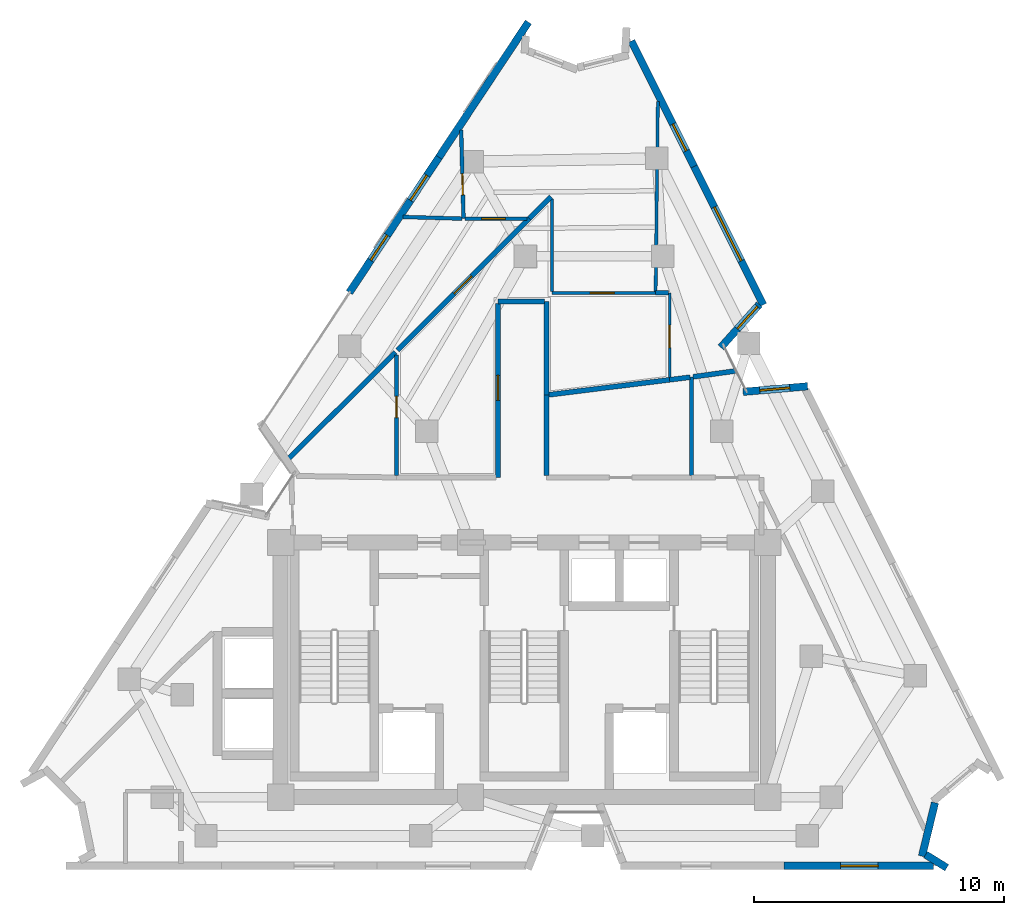
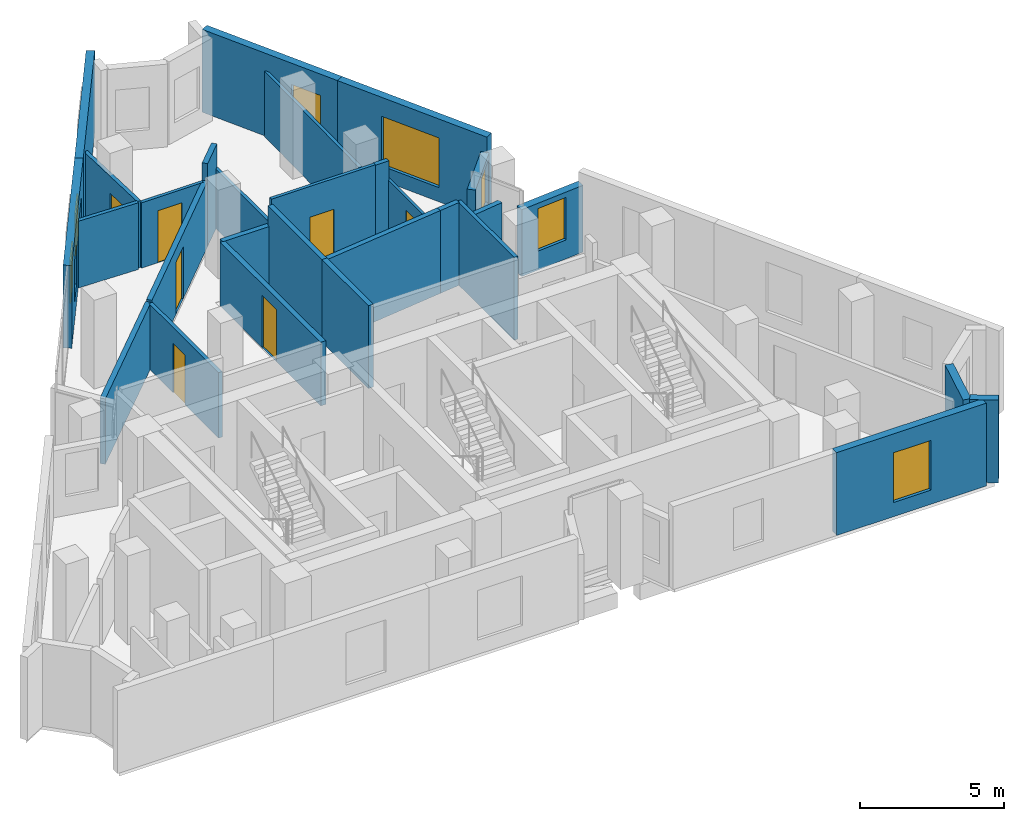
# One storey, part 6 of 8: 29 walls, 7 doors, 7 windows, 14 openings.
"""IFC4 building model written with IfcOpenShell, lengths in metres."""

import ifcopenshell
import ifcopenshell.guid

model = None  # the IFC model being written
_history = None  # IfcOwnerHistory: only IFC2X3 demands one
_inside = {}  # id of a spatial element -> (the spatial element, [elements in it])
_under = {}  # id of a project, library or spatial element -> (it, [spatial elements below it])
_declared = {}  # id of a project -> (the project, [libraries it declares])
_typed = {}  # id of a type object -> (the type object, [elements of that type])
_made_of = {}  # id of a material, layer set ... -> (it, [elements and type objects made of it])


def new_model(schema):
    """Start an empty IFC model of exactly this schema.

    Asked for "IFC4X3", IfcOpenShell would pick the latest addendum, in which some entities
    have other attributes; the version numbers below select the first issue.
    IFC2X3 requires an IfcOwnerHistory on every rooted entity: one is made here for all.
    """
    global model, _history
    if schema == "IFC4X3":
        model = ifcopenshell.file(schema_version=(4, 3, 0, 0))
    else:
        model = ifcopenshell.file(schema=schema)
    _inside.clear()
    _under.clear()
    _declared.clear()
    _typed.clear()
    _made_of.clear()
    _history = None
    if model.schema == "IFC2X3":
        org = make("IfcOrganization", Name="unknown")
        user = make(
            "IfcPersonAndOrganization",
            ThePerson=make("IfcPerson", FamilyName="unknown"),
            TheOrganization=org,
        )
        app = make(
            "IfcApplication",
            ApplicationDeveloper=org,
            Version="unknown",
            ApplicationFullName="unknown",
            ApplicationIdentifier="unknown",
        )
        _history = make(
            "IfcOwnerHistory",
            OwningUser=user,
            OwningApplication=app,
            ChangeAction="ADDED",
            CreationDate=0,
        )
    return model


def make(cls, **values):
    """One entity of the class cls with the attributes given. An attribute that is None is left unset."""
    return model.create_entity(
        cls, **{name: value for name, value in values.items() if value is not None}
    )


def rooted(cls, **values):
    """An entity with a GlobalId (a new one), such as an element, a storey or a relation."""
    return make(cls, GlobalId=ifcopenshell.guid.new(), OwnerHistory=_history, **values)


def si_unit(unit_type, name, prefix=None):
    """IfcSIUnit, for example si_unit("LENGTHUNIT", "METRE", prefix="MILLI")."""
    return make("IfcSIUnit", UnitType=unit_type, Prefix=prefix, Name=name)


def assignment(units):
    """IfcUnitAssignment: the units of a project."""
    return None if units is None else make("IfcUnitAssignment", Units=units)


def point(xyz):
    """IfcCartesianPoint."""
    return None if xyz is None else make("IfcCartesianPoint", Coordinates=xyz)


def direction(xyz):
    """IfcDirection."""
    return None if xyz is None else make("IfcDirection", DirectionRatios=xyz)


def frame(location, z_axis=None, x_axis=None):
    """IfcAxis2Placement3D, a coordinate frame: its origin and axes. An axis left out is left unset."""
    return make(
        "IfcAxis2Placement3D",
        Location=point(location),
        Axis=direction(z_axis),
        RefDirection=direction(x_axis),
    )


def frame_2d(location, x_axis=None):
    """IfcAxis2Placement2D, a coordinate frame in the plane: its origin and x axis."""
    return make(
        "IfcAxis2Placement2D", Location=point(location), RefDirection=direction(x_axis)
    )


def origin():
    """The frame at (0, 0, 0) with its axes left unset."""
    return frame((0.0, 0.0, 0.0))


def place(relative_to, where):
    """IfcLocalPlacement: puts the frame where relative to a parent placement (None: the world)."""
    return make(
        "IfcLocalPlacement", PlacementRelTo=relative_to, RelativePlacement=where
    )


def context(
    kind, dimensions, precision=None, world=None, true_north=None, identifier=None
):
    """IfcGeometricRepresentationContext, for example the 3D "Model" context."""
    return make(
        "IfcGeometricRepresentationContext",
        ContextIdentifier=identifier,
        ContextType=kind,
        CoordinateSpaceDimension=dimensions,
        Precision=precision,
        WorldCoordinateSystem=world,
        TrueNorth=true_north,
    )


def subcontext(parent, identifier, kind, view, scale=None):
    """IfcGeometricRepresentationSubContext, for example "Body" below "Model"."""
    return make(
        "IfcGeometricRepresentationSubContext",
        ContextIdentifier=identifier,
        ContextType=kind,
        ParentContext=parent,
        TargetScale=scale,
        TargetView=view,
    )


def project(units=None, contexts=None):
    """IfcProject with its units and contexts."""
    return rooted(
        "IfcProject",
        Name="project",
        RepresentationContexts=contexts,
        UnitsInContext=assignment(units),
    )


def spatial(cls, under=None, at=None, **own):
    """A site, building, storey or space (cls), placed at a placement, below another one or the project."""
    s = rooted(cls, ObjectPlacement=at, **own)
    if under is not None:
        _under.setdefault(under.id(), (under, []))[1].append(s)
    return s


def profile(cls, at=None, kind="AREA", **sizes):
    """A parametric profile (cls). Its sizes go by their IFC names, for example OverallWidth=200.0."""
    return make(cls, ProfileType=kind, Position=at, **sizes)


def rectangle(**sizes):
    """IfcRectangleProfileDef."""
    return profile("IfcRectangleProfileDef", **sizes)


def extrude(swept, where, along, depth):
    """IfcExtrudedAreaSolid: the profile swept, set in the frame where, extruded along a direction by depth."""
    return make(
        "IfcExtrudedAreaSolid",
        SweptArea=swept,
        Position=where,
        ExtrudedDirection=direction(along),
        Depth=depth,
    )


def shape(context_of_items, identifier, shape_type, items):
    """IfcShapeRepresentation: the items that make up one representation, for example the "Body"."""
    return make(
        "IfcShapeRepresentation",
        ContextOfItems=context_of_items,
        RepresentationIdentifier=identifier,
        RepresentationType=shape_type,
        Items=items,
    )


def material(Name=None, Category=None):
    """IfcMaterial."""
    return make("IfcMaterial", Name=Name, Category=Category)


def layer(
    of_material, thickness, ventilated=None, Name=None, Category=None, Priority=None
):
    """IfcMaterialLayer: one layer of a wall or slab, of a material (None: an air gap)."""
    return make(
        "IfcMaterialLayer",
        Material=of_material,
        LayerThickness=thickness,
        IsVentilated=ventilated,
        Name=Name,
        Category=Category,
        Priority=Priority,
    )


def layer_set(layers, Name=None):
    """IfcMaterialLayerSet."""
    return make("IfcMaterialLayerSet", MaterialLayers=layers, LayerSetName=Name)


def made_of(thing, what):
    """Note that an element or type object is made of a material, layer set ...; save() writes the relation."""
    if what is not None:
        _made_of.setdefault(what.id(), (what, []))[1].append(thing)
    return thing


def type_object(cls, material=None, **own):
    """A type object (cls), such as IfcWallType, which elements share."""
    return made_of(rooted(cls, **own), material)


def element(
    cls,
    number,
    at=None,
    inside=None,
    cuts=None,
    type_object=None,
    material=None,
    context=None,
    identifier="Body",
    shape_type=None,
    held_by="IfcProductDefinitionShape",
    body=None,
    shapes=None,
    **own,
):
    """One element of the class cls, such as IfcWall. Its Tag is "e" and its number.

    at: its placement. inside: the storey or other place that contains it. cuts: it is an
    opening in that element (IfcRelVoidsElement). A single representation is given by context,
    identifier, shape_type and body (its items); several are given by shapes. held_by: the class
    of the entity that holds the representations. save() writes the other relations.
    """
    e = rooted(cls, Tag="e%d" % number, ObjectPlacement=at, **own)
    if body is not None:
        shapes = [shape(context, identifier, shape_type, body)]
    if shapes is not None:
        e.Representation = make(held_by, Representations=shapes)
    if inside is not None:
        _inside.setdefault(inside.id(), (inside, []))[1].append(e)
    if cuts is not None:
        rooted(
            "IfcRelVoidsElement", RelatingBuildingElement=cuts, RelatedOpeningElement=e
        )
    if type_object is not None:
        _typed.setdefault(type_object.id(), (type_object, []))[1].append(e)
    return made_of(e, material)


def fill(opening, filler):
    """IfcRelFillsElement: the door or window that sits in an opening."""
    return rooted(
        "IfcRelFillsElement",
        RelatingOpeningElement=opening,
        RelatedBuildingElement=filler,
    )


def aggregate(whole, parts):
    """IfcRelAggregates: a whole, such as a stair, and the parts it consists of."""
    return rooted("IfcRelAggregates", RelatingObject=whole, RelatedObjects=parts)


def save(model, path):
    """Write the relations noted so far, then the file.

    IfcRelAggregates (storeys below a building ...), IfcRelContainedInSpatialStructure (elements
    in a storey), IfcRelDefinesByType, IfcRelAssociatesMaterial and IfcRelDeclares: one each for
    every whole, place, type object, material and project.
    """
    for whole, parts in _under.values():
        aggregate(whole, parts)
    for where, things in _inside.values():
        rooted(
            "IfcRelContainedInSpatialStructure",
            RelatedElements=things,
            RelatingStructure=where,
        )
    for kind, things in _typed.values():
        rooted("IfcRelDefinesByType", RelatedObjects=things, RelatingType=kind)
    for what, things in _made_of.values():
        rooted("IfcRelAssociatesMaterial", RelatedObjects=things, RelatingMaterial=what)
    for by, libraries in _declared.values():
        rooted("IfcRelDeclares", RelatingContext=by, RelatedDefinitions=libraries)
    model.write(path)


model = new_model("IFC4")

# Units and contexts
model_context = context("Model", 3, precision=1e-05, world=origin(), true_north=direction((0.0, 1.0)))
body_context = subcontext(model_context, "Body", "Model", "MODEL_VIEW")
ifc_project = project(units=[si_unit("LENGTHUNIT", "METRE"), si_unit("AREAUNIT", "SQUARE_METRE"), si_unit("VOLUMEUNIT", "CUBIC_METRE"), si_unit("PLANEANGLEUNIT", "RADIAN"), si_unit("MASSUNIT", "GRAM", prefix="KILO")], contexts=[model_context])

# Site, building, storey
site_placement = place(None, origin())
site = spatial("IfcSite", under=ifc_project, at=site_placement, CompositionType="ELEMENT")
building_placement = place(site_placement, origin())
building = spatial("IfcBuilding", under=site, at=building_placement, Name="Almagre Mirador Tower", CompositionType="ELEMENT")
storey_placement = place(building_placement, frame((0.0, 0.0, 263.25)))
storey = spatial("IfcBuildingStorey", under=building, at=storey_placement, Name="L68", CompositionType="ELEMENT", Elevation=263.25)

# Wall, openings, windows
ifc_material_1 = material(Name="Precast concrete C50/60", Category="concrete")
ifc_layer_1 = layer(ifc_material_1, 0.300048828125)
ifc_layer_set_1 = layer_set([ifc_layer_1], Name="Precast concrete C50/60")
wall_type_1 = type_object("IfcWallType", Name="WAL-EXT-300", PredefinedType="SOLIDWALL", material=ifc_layer_set_1)
wall_1_placement = place(storey_placement, frame((30.299560546875, 24.7548828125, 0.0), z_axis=(0.0, 0.0, 1.0), x_axis=(0.552146443909, 0.833747146609, 0.0)))
wall_1 = element("IfcWall", 1, at=wall_1_placement, inside=storey, type_object=wall_type_1, Name="L68 expressed almagre precast frame wall 03", PredefinedType="SOLIDWALL", context=body_context, shape_type="SweptSolid", body=[
    extrude(rectangle(XDim=6.49267578125, YDim=0.300048828125, at=frame_2d((3.246337890625, 0.0))), origin(), (0.0, 0.0, 1.0), 3.5),
])
opening_1_placement = place(wall_1_placement, frame((4.425048828125, 0.0, 0.800048828125)))
opening_1 = element("IfcOpeningElement", 2, at=opening_1_placement, cuts=wall_1, Name="Opening WN-04", PredefinedType="OPENING", context=body_context, shape_type="SweptSolid", body=[
    extrude(rectangle(XDim=1.199951171875, YDim=1.800048828125, at=frame_2d((0.60009765625, 0.89990234375))), frame((0.0, 0.159902, 0.0), z_axis=(0.0, -1.0, 0.0), x_axis=(1.0, 0.0, 0.0)), (0.0, 0.0, 1.0), 0.320049),
])
opening_2_placement = place(wall_1_placement, frame((1.550048828125, 0.0, 0.800048828125)))
opening_2 = element("IfcOpeningElement", 3, at=opening_2_placement, cuts=wall_1, Name="Opening WN-04", PredefinedType="OPENING", context=body_context, shape_type="SweptSolid", body=[
    extrude(rectangle(XDim=1.199951171875, YDim=1.800048828125, at=frame_2d((0.60009765625, 0.89990234375))), frame((0.0, 0.159902, 0.0), z_axis=(0.0, -1.0, 0.0), x_axis=(1.0, 0.0, 0.0)), (0.0, 0.0, 1.0), 0.320049),
])
ifc_material_2 = material(Name="Dark solar-control laminated hurricane glass", Category="glass")
window_type_1 = type_object("IfcWindowType", Name="WIN-1200X1800", PartitioningType="SINGLE_PANEL", PredefinedType="WINDOW", material=ifc_material_2)
window_1_placement = place(opening_1_placement, origin())
window_1 = element("IfcWindow", 4, at=window_1_placement, inside=storey, type_object=window_type_1, Name="L68 recessed hurricane window L68-UH-BT", OverallHeight=1.800048828125, OverallWidth=1.199951171875, PartitioningType="SINGLE_PANEL", PredefinedType="WINDOW", context=body_context, shape_type="SweptSolid", body=[
    extrude(rectangle(XDim=1.199951171875, YDim=1.800048828125, at=frame_2d((0.60009765625, 0.89990234375))), frame((0.0, 0.030029296875, 0.0), z_axis=(0.0, -1.0, 0.0), x_axis=(1.0, 0.0, 0.0)), (0.0, 0.0, 1.0), 0.06005859375),
])
fill(opening_1, window_1)
window_2_placement = place(opening_2_placement, origin())
window_2 = element("IfcWindow", 5, at=window_2_placement, inside=storey, type_object=window_type_1, Name="L68 recessed hurricane window L68-UH-KT", OverallHeight=1.800048828125, OverallWidth=1.199951171875, PartitioningType="SINGLE_PANEL", PredefinedType="WINDOW", context=body_context, shape_type="SweptSolid", body=[
    extrude(rectangle(XDim=1.199951171875, YDim=1.800048828125, at=frame_2d((0.60009765625, 0.89990234375))), frame((0.0, 0.030029296875, 0.0), z_axis=(0.0, -1.0, 0.0), x_axis=(1.0, 0.0, 0.0)), (0.0, 0.0, 1.0), 0.06005859375),
])
fill(opening_2, window_2)

# Wall
wall_2_placement = place(storey_placement, frame((33.884521484375, 30.168212890625, 0.0), z_axis=(0.0, 0.0, 1.0), x_axis=(0.552102995184, 0.833775918763, 0.0)))
element("IfcWall", 6, at=wall_2_placement, inside=storey, type_object=wall_type_1, Name="L68 expressed almagre precast frame wall 04", PredefinedType="SOLIDWALL", context=body_context, shape_type="SweptSolid", body=[
    extrude(rectangle(XDim=6.492919921875, YDim=0.300048828125, at=frame_2d((3.24658203125, 0.0))), origin(), (0.0, 0.0, 1.0), 3.5),
])

# Wall, opening, window
wall_3_placement = place(storey_placement, frame((41.59033203125, 34.819580078125, 0.0), z_axis=(0.0, 0.0, 1.0), x_axis=(0.4472135955, -0.894427191, 0.0)))
wall_3 = element("IfcWall", 7, at=wall_3_placement, inside=storey, type_object=wall_type_1, Name="L68 expressed almagre precast frame wall 09", PredefinedType="SOLIDWALL", context=body_context, shape_type="SweptSolid", body=[
    extrude(rectangle(XDim=5.607177734375, YDim=0.300048828125, at=frame_2d((2.8037109375, 0.0))), origin(), (0.0, 0.0, 1.0), 3.5),
])
opening_3_placement = place(wall_3_placement, frame((3.7099609375, 0.0, 0.800048828125)))
opening_3 = element("IfcOpeningElement", 8, at=opening_3_placement, cuts=wall_3, Name="Opening WN-04", PredefinedType="OPENING", context=body_context, shape_type="SweptSolid", body=[
    extrude(rectangle(XDim=1.199951171875, YDim=1.800048828125, at=frame_2d((0.60009765625, 0.89990234375))), frame((0.0, 0.159902, 0.0), z_axis=(0.0, -1.0, 0.0), x_axis=(1.0, 0.0, 0.0)), (0.0, 0.0, 1.0), 0.320049),
])
window_3_placement = place(opening_3_placement, origin())
window_3 = element("IfcWindow", 9, at=window_3_placement, inside=storey, type_object=window_type_1, Name="L68 recessed hurricane window L68-UG-MB", OverallHeight=1.800048828125, OverallWidth=1.199951171875, PartitioningType="SINGLE_PANEL", PredefinedType="WINDOW", context=body_context, shape_type="SweptSolid", body=[
    extrude(rectangle(XDim=1.199951171875, YDim=1.800048828125, at=frame_2d((0.60009765625, 0.89990234375))), frame((0.0, 0.030029296875, 0.0), z_axis=(0.0, -1.0, 0.0), x_axis=(1.0, 0.0, 0.0)), (0.0, 0.0, 1.0), 0.06005859375),
])
fill(opening_3, window_3)

wall_4_placement = place(storey_placement, frame((44.097900390625, 29.804443359375, 0.0), z_axis=(0.0, 0.0, 1.0), x_axis=(0.447260869873, -0.894403552252, 0.0)))
wall_4 = element("IfcWall", 10, at=wall_4_placement, inside=storey, type_object=wall_type_1, Name="L68 expressed almagre precast frame wall 10", PredefinedType="SOLIDWALL", context=body_context, shape_type="SweptSolid", body=[
    extrude(rectangle(XDim=6.197021484375, YDim=0.300048828125, at=frame_2d((3.0986328125, 0.0))), origin(), (0.0, 0.0, 1.0), 3.5),
])
opening_4_placement = place(wall_4_placement, frame((1.824951171875, 0.0, 0.60009765625)))
opening_4 = element("IfcOpeningElement", 11, at=opening_4_placement, cuts=wall_4, Name="Opening WN-02", PredefinedType="OPENING", context=body_context, shape_type="SweptSolid", body=[
    extrude(rectangle(XDim=2.39990234375, YDim=2.10009765625, at=frame_2d((1.199951171875, 1.050048828125))), frame((0.0, 0.159902, 0.0), z_axis=(0.0, -1.0, 0.0), x_axis=(1.0, 0.0, 0.0)), (0.0, 0.0, 1.0), 0.320049),
])
ifc_material_3 = material(Name="Dark solar-control laminated hurricane glass", Category="glass")
window_type_2 = type_object("IfcWindowType", Name="WIN-2400X2100", PartitioningType="TRIPLE_PANEL_VERTICAL", PredefinedType="WINDOW", material=ifc_material_3)
window_4_placement = place(opening_4_placement, origin())
window_4 = element("IfcWindow", 12, at=window_4_placement, inside=storey, type_object=window_type_2, Name="L68 recessed hurricane window L68-UG-MB", OverallHeight=2.10009765625, OverallWidth=2.39990234375, PartitioningType="SINGLE_PANEL", PredefinedType="WINDOW", context=body_context, shape_type="SweptSolid", body=[
    extrude(rectangle(XDim=2.39990234375, YDim=2.10009765625, at=frame_2d((1.199951171875, 1.050048828125))), frame((0.0, 0.030029296875, 0.0), z_axis=(0.0, -1.0, 0.0), x_axis=(1.0, 0.0, 0.0)), (0.0, 0.0, 1.0), 0.06005859375),
])
fill(opening_4, window_4)

wall_5_placement = place(storey_placement, frame((46.713623046875, 24.282470703125, 0.0), z_axis=(0.0, 0.0, 1.0), x_axis=(-0.665980118588, -0.745969491095, 0.0)))
wall_5 = element("IfcWall", 13, at=wall_5_placement, inside=storey, type_object=wall_type_1, Name="L68 expressed almagre precast frame wall 11", PredefinedType="SOLIDWALL", context=body_context, shape_type="SweptSolid", body=[
    extrude(rectangle(XDim=2.3134765625, YDim=0.300048828125, at=frame_2d((1.15673828125, 0.0))), origin(), (0.0, 0.0, 1.0), 2.824951171875),
])
opening_5_placement = place(wall_5_placement, frame((0.1201171875, 0.0, 0.800048828125)))
opening_5 = element("IfcOpeningElement", 14, at=opening_5_placement, cuts=wall_5, Name="Opening WN-04", PredefinedType="OPENING", context=body_context, shape_type="SweptSolid", body=[
    extrude(rectangle(XDim=1.199951171875, YDim=1.800048828125, at=frame_2d((0.60009765625, 0.89990234375))), frame((0.0, 0.159902, 0.0), z_axis=(0.0, -1.0, 0.0), x_axis=(1.0, 0.0, 0.0)), (0.0, 0.0, 1.0), 0.320049),
])
window_5_placement = place(opening_5_placement, origin())
window_5 = element("IfcWindow", 15, at=window_5_placement, inside=storey, type_object=window_type_1, Name="L68 recessed hurricane window L68-UG-MB", OverallHeight=1.800048828125, OverallWidth=1.199951171875, PartitioningType="SINGLE_PANEL", PredefinedType="WINDOW", context=body_context, shape_type="SweptSolid", body=[
    extrude(rectangle(XDim=1.199951171875, YDim=1.800048828125, at=frame_2d((0.60009765625, 0.89990234375))), frame((0.0, 0.030029296875, 0.0), z_axis=(0.0, -1.0, 0.0), x_axis=(1.0, 0.0, 0.0)), (0.0, 0.0, 1.0), 0.06005859375),
])
fill(opening_5, window_5)

wall_6_placement = place(storey_placement, frame((46.0615234375, 20.779052734375, 0.0), z_axis=(0.0, 0.0, 1.0), x_axis=(0.996364250233, 0.085195544828, 0.0)))
wall_6 = element("IfcWall", 16, at=wall_6_placement, inside=storey, type_object=wall_type_1, Name="L68 expressed almagre precast frame wall 12", PredefinedType="SOLIDWALL", context=body_context, shape_type="SweptSolid", body=[
    extrude(rectangle(XDim=2.593505859375, YDim=0.300048828125, at=frame_2d((1.296875, 0.0))), origin(), (0.0, 0.0, 1.0), 2.824951171875),
])
opening_6_placement = place(wall_6_placement, frame((0.675048828125, 0.0, 0.800048828125)))
opening_6 = element("IfcOpeningElement", 17, at=opening_6_placement, cuts=wall_6, Name="Opening WN-04", PredefinedType="OPENING", context=body_context, shape_type="SweptSolid", body=[
    extrude(rectangle(XDim=1.199951171875, YDim=1.800048828125, at=frame_2d((0.60009765625, 0.89990234375))), frame((0.0, 0.159902, 0.0), z_axis=(0.0, -1.0, 0.0), x_axis=(1.0, 0.0, 0.0)), (0.0, 0.0, 1.0), 0.320049),
])
window_6_placement = place(opening_6_placement, origin())
window_6 = element("IfcWindow", 18, at=window_6_placement, inside=storey, type_object=window_type_1, Name="L68 recessed hurricane window L68-RST-E", OverallHeight=1.800048828125, OverallWidth=1.199951171875, PartitioningType="SINGLE_PANEL", PredefinedType="WINDOW", context=body_context, shape_type="SweptSolid", body=[
    extrude(rectangle(XDim=1.199951171875, YDim=1.800048828125, at=frame_2d((0.60009765625, 0.89990234375))), frame((0.0, 0.030029296875, 0.0), z_axis=(0.0, -1.0, 0.0), x_axis=(1.0, 0.0, 0.0)), (0.0, 0.0, 1.0), 0.06005859375),
])
fill(opening_6, window_6)

# Walls
wall_7_placement = place(storey_placement, frame((53.744873046875, 4.330078125, 0.0), z_axis=(0.0, 0.0, 1.0), x_axis=(-0.235375358003, -0.971904543073, 0.0)))
element("IfcWall", 19, at=wall_7_placement, inside=storey, type_object=wall_type_1, Name="L68 expressed almagre precast frame wall 18", PredefinedType="SOLIDWALL", context=body_context, shape_type="SweptSolid", body=[
    extrude(rectangle(XDim=2.208251953125, YDim=0.300048828125, at=frame_2d((1.10400390625, 0.0))), origin(), (0.0, 0.0, 1.0), 3.5),
])
wall_8_placement = place(storey_placement, frame((53.36865234375, 2.251708984375, 0.0), z_axis=(0.0, 0.0, 1.0), x_axis=(0.85071769282, -0.52562287538, 0.0)))
element("IfcWall", 20, at=wall_8_placement, inside=storey, type_object=wall_type_1, Name="L68 expressed almagre precast frame wall 19", PredefinedType="SOLIDWALL", context=body_context, shape_type="SweptSolid", body=[
    extrude(rectangle(XDim=0.99951171875, YDim=0.300048828125, at=frame_2d((0.499755859375, 0.0))), origin(), (0.0, 0.0, 1.0), 3.5),
])

# Wall, opening, window
wall_9_placement = place(storey_placement, frame((53.679931640625, 1.800048828125, 0.0), z_axis=(0.0, 0.0, 1.0), x_axis=(-1.0, 0.0, 0.0)))
wall_9 = element("IfcWall", 21, at=wall_9_placement, inside=storey, type_object=wall_type_1, Name="L68 expressed almagre precast frame wall 20", PredefinedType="SOLIDWALL", context=body_context, shape_type="SweptSolid", body=[
    extrude(rectangle(XDim=5.97998046875, YDim=0.300048828125, at=frame_2d((2.989990234375, 0.0))), origin(), (0.0, 0.0, 1.0), 3.5),
])
opening_7_placement = place(wall_9_placement, frame((2.215087890625, 0.0, 0.60009765625)))
opening_7 = element("IfcOpeningElement", 22, at=opening_7_placement, cuts=wall_9, Name="Opening WN-03", PredefinedType="OPENING", context=body_context, shape_type="SweptSolid", body=[
    extrude(rectangle(XDim=1.5, YDim=2.10009765625, at=frame_2d((0.75, 1.050048828125))), frame((0.0, 0.159902, 0.0), z_axis=(0.0, -1.0, 0.0), x_axis=(1.0, 0.0, 0.0)), (0.0, 0.0, 1.0), 0.320049),
])
ifc_material_4 = material(Name="Dark solar-control laminated hurricane glass", Category="glass")
window_type_3 = type_object("IfcWindowType", Name="WIN-1500X2100", PartitioningType="DOUBLE_PANEL_VERTICAL", PredefinedType="WINDOW", material=ifc_material_4)
window_7_placement = place(opening_7_placement, origin())
window_7 = element("IfcWindow", 23, at=window_7_placement, inside=storey, type_object=window_type_3, Name="L68 recessed hurricane window L68-RST-C", OverallHeight=2.10009765625, OverallWidth=1.5, PartitioningType="SINGLE_PANEL", PredefinedType="WINDOW", context=body_context, shape_type="SweptSolid", body=[
    extrude(rectangle(XDim=1.5, YDim=2.10009765625, at=frame_2d((0.75, 1.050048828125))), frame((0.0, 0.030029296875, 0.0), z_axis=(0.0, -1.0, 0.0), x_axis=(1.0, 0.0, 0.0)), (0.0, 0.0, 1.0), 0.06005859375),
])
fill(opening_7, window_7)

# Wall, opening, door
ifc_material_5 = material(Name="Gypsum acoustic stud partition", Category="other")
ifc_layer_2 = layer(ifc_material_5, 0.10009765625)
ifc_layer_set_2 = layer_set([ifc_layer_2], Name="Gypsum acoustic stud partition")
wall_type_2 = type_object("IfcWallType", Name="WAL-PRT-100-CLS", PredefinedType="PARTITIONING", material=ifc_layer_set_2)
wall_10_placement = place(storey_placement, frame((43.1201171875, 21.344970703125, 0.0), z_axis=(0.0, 0.0, 1.0), x_axis=(0.0, 1.0, 0.0)))
wall_10 = element("IfcWall", 24, at=wall_10_placement, inside=storey, type_object=wall_type_2, Name="L68 interior partition 032", PredefinedType="PARTITIONING", context=body_context, shape_type="SweptSolid", body=[
    extrude(rectangle(XDim=3.39501953125, YDim=0.10009765625, at=frame_2d((1.697509765625, 0.0))), origin(), (0.0, 0.0, 1.0), 2.68505859375),
])
opening_8_placement = place(wall_10_placement, frame((1.205078125, 0.0, 0.0)))
opening_8 = element("IfcOpeningElement", 25, at=opening_8_placement, cuts=wall_10, Name="Opening UD-02", PredefinedType="OPENING", context=body_context, shape_type="SweptSolid", body=[
    extrude(rectangle(XDim=0.89990234375, YDim=2.14990234375, at=frame_2d((0.449951171875, 1.074951171875))), frame((0.0, 0.060049, 0.0), z_axis=(0.0, -1.0, 0.0), x_axis=(1.0, 0.0, 0.0)), (0.0, 0.0, 1.0), 0.120098),
])
ifc_material_6 = material(Name="Solid American walnut timber", Category="wood")
door_type_1 = type_object("IfcDoorType", Name="DOR-UNR-900X2150", OperationType="NOTDEFINED", PredefinedType="DOOR", material=ifc_material_6)
door_1_placement = place(opening_8_placement, origin())
door_1 = element("IfcDoor", 26, at=door_1_placement, inside=storey, type_object=door_type_1, Name="DR-2083 L68 interior door L68-UG-LV to L68-UG-MB", OperationType="SINGLE_SWING_RIGHT", OverallHeight=2.14990234375, OverallWidth=0.89990234375, PredefinedType="DOOR", context=body_context, shape_type="SweptSolid", body=[
    extrude(rectangle(XDim=0.89990234375, YDim=2.14990234375, at=frame_2d((0.449951171875, 1.074951171875))), frame((0.0, 0.02490234375, 0.0), z_axis=(0.0, -1.0, 0.0), x_axis=(1.0, 0.0, 0.0)), (0.0, 0.0, 1.0), 0.050048828125),
])
fill(opening_8, door_1)

ifc_material_7 = material(Name="Gypsum acoustic stud partition", Category="other")
ifc_layer_3 = layer(ifc_material_7, 0.125)
ifc_layer_set_3 = layer_set([ifc_layer_3], Name="Gypsum acoustic stud partition")
wall_type_3 = type_object("IfcWallType", Name="WAL-PRT-125-UTL", PredefinedType="PARTITIONING", material=ifc_layer_set_3)
wall_11_placement = place(storey_placement, frame((42.56005859375, 24.739990234375, 0.0), z_axis=(0.0, 0.0, 1.0), x_axis=(-1.0, 0.0, 0.0)))
wall_11 = element("IfcWall", 27, at=wall_11_placement, inside=storey, type_object=wall_type_3, Name="L68 interior partition 030", PredefinedType="PARTITIONING", context=body_context, shape_type="SweptSolid", body=[
    extrude(rectangle(XDim=4.150146484375, YDim=0.125, at=frame_2d((2.0751953125, 0.0))), origin(), (0.0, 0.0, 1.0), 3.5),
])
opening_9_placement = place(wall_11_placement, frame((1.658447265625, 0.0, 0.0)))
opening_9 = element("IfcOpeningElement", 28, at=opening_9_placement, cuts=wall_11, Name="Opening UD-01", PredefinedType="OPENING", context=body_context, shape_type="SweptSolid", body=[
    extrude(rectangle(XDim=0.949951171875, YDim=2.199951171875, at=frame_2d((0.47509765625, 1.10009765625))), frame((0.0, 0.0725, 0.0), z_axis=(0.0, -1.0, 0.0), x_axis=(1.0, 0.0, 0.0)), (0.0, 0.0, 1.0), 0.145),
])
ifc_material_8 = material(Name="Solid American walnut timber", Category="wood")
door_type_2 = type_object("IfcDoorType", Name="DOR-UNR-950X2200", OperationType="NOTDEFINED", PredefinedType="DOOR", material=ifc_material_8)
door_2_placement = place(opening_9_placement, origin())
door_2 = element("IfcDoor", 29, at=door_2_placement, inside=storey, type_object=door_type_2, Name="DR-2081 L68 interior door L68-UG-LV to L68-UG-KT", OperationType="SINGLE_SWING_RIGHT", OverallHeight=2.199951171875, OverallWidth=0.949951171875, PredefinedType="DOOR", context=body_context, shape_type="SweptSolid", body=[
    extrude(rectangle(XDim=0.949951171875, YDim=2.199951171875, at=frame_2d((0.47509765625, 1.10009765625))), frame((0.0, 0.02490234375, 0.0), z_axis=(0.0, -1.0, 0.0), x_axis=(1.0, 0.0, 0.0)), (0.0, 0.0, 1.0), 0.050048828125),
])
fill(opening_9, door_2)

# Walls
wall_12_placement = place(storey_placement, frame((38.409912109375, 24.78759765625, 0.0), z_axis=(0.0, 0.0, 1.0), x_axis=(0.0, 1.0, 0.0)))
element("IfcWall", 30, at=wall_12_placement, inside=storey, type_object=wall_type_3, Name="L68 interior partition 031", PredefinedType="PARTITIONING", context=body_context, shape_type="SweptSolid", body=[
    extrude(rectangle(XDim=3.702392578125, YDim=0.125, at=frame_2d((1.85107421875, 0.0))), origin(), (0.0, 0.0, 1.0), 2.52001953125),
])
wall_13_placement = place(storey_placement, frame((42.560546875, 24.78759765625, 0.0), z_axis=(0.0, 0.0, 1.0), x_axis=(0.011862322193, 0.999929640181, 0.0)))
element("IfcWall", 31, at=wall_13_placement, inside=storey, type_object=wall_type_3, Name="L68 interior partition 037", PredefinedType="PARTITIONING", context=body_context, shape_type="SweptSolid", body=[
    extrude(rectangle(XDim=7.614990234375, YDim=0.125, at=frame_2d((3.8076171875, 0.0))), origin(), (0.0, 0.0, 1.0), 2.763916015625),
])

# Wall, opening, door
wall_14_placement = place(storey_placement, frame((34.929931640625, 27.7099609375, 0.0), z_axis=(0.0, 0.0, 1.0), x_axis=(1.0, 0.0, 0.0)))
wall_14 = element("IfcWall", 32, at=wall_14_placement, inside=storey, type_object=wall_type_3, Name="L68 interior partition 039", PredefinedType="PARTITIONING", context=body_context, shape_type="SweptSolid", body=[
    extrude(rectangle(XDim=2.485107421875, YDim=0.125, at=frame_2d((1.24267578125, 0.0))), origin(), (0.0, 0.0, 1.0), 2.763916015625),
])
opening_10_placement = place(wall_14_placement, frame((0.663330078125, 0.0, 0.0)))
opening_10 = element("IfcOpeningElement", 33, at=opening_10_placement, cuts=wall_14, Name="Opening UD-01", PredefinedType="OPENING", context=body_context, shape_type="SweptSolid", body=[
    extrude(rectangle(XDim=0.949951171875, YDim=2.199951171875, at=frame_2d((0.47509765625, 1.10009765625))), frame((0.0, 0.0725, 0.0), z_axis=(0.0, -1.0, 0.0), x_axis=(1.0, 0.0, 0.0)), (0.0, 0.0, 1.0), 0.145),
])
door_3_placement = place(opening_10_placement, origin())
door_3 = element("IfcDoor", 34, at=door_3_placement, inside=storey, type_object=door_type_2, Name="DR-2084 L68 interior door L68-UH-ST to L68-UH-KT", OperationType="SINGLE_SWING_LEFT", OverallHeight=2.199951171875, OverallWidth=0.949951171875, PredefinedType="DOOR", context=body_context, shape_type="SweptSolid", body=[
    extrude(rectangle(XDim=0.949951171875, YDim=2.199951171875, at=frame_2d((0.47509765625, 1.10009765625))), frame((0.0, 0.02490234375, 0.0), z_axis=(0.0, -1.0, 0.0), x_axis=(1.0, 0.0, 0.0)), (0.0, 0.0, 1.0), 0.050048828125),
])
fill(opening_10, door_3)

# Wall
ifc_material_9 = material(Name="Gypsum acoustic stud partition", Category="other")
ifc_layer_4 = layer(ifc_material_9, 0.14990234375)
ifc_layer_set_4 = layer_set([ifc_layer_4], Name="Gypsum acoustic stud partition")
wall_type_4 = type_object("IfcWallType", Name="WAL-PRT-150-STD", PredefinedType="PARTITIONING", material=ifc_layer_set_4)
wall_15_placement = place(storey_placement, frame((44.0, 21.3701171875, 0.0), z_axis=(0.0, 0.0, 1.0), x_axis=(0.0, -1.0, 0.0)))
element("IfcWall", 35, at=wall_15_placement, inside=storey, type_object=wall_type_4, Name="L68 interior partition 025", PredefinedType="PARTITIONING", context=body_context, shape_type="SweptSolid", body=[
    extrude(rectangle(XDim=3.93505859375, YDim=0.14990234375, at=frame_2d((1.967529296875, 0.0))), origin(), (0.0, 0.0, 1.0), 3.5),
])

# Wall, opening, door
wall_16_placement = place(storey_placement, frame((32.18994140625, 22.260009765625, 0.0), z_axis=(0.0, 0.0, 1.0), x_axis=(0.0, -1.0, 0.0)))
wall_16 = element("IfcWall", 36, at=wall_16_placement, inside=storey, type_object=wall_type_4, Name="L68 interior partition 029", PredefinedType="PARTITIONING", context=body_context, shape_type="SweptSolid", body=[
    extrude(rectangle(XDim=4.824951171875, YDim=0.14990234375, at=frame_2d((2.41259765625, 0.0))), origin(), (0.0, 0.0, 1.0), 2.763916015625),
])
opening_11_placement = place(wall_16_placement, frame((1.6630859375, 0.0, 0.0)))
opening_11 = element("IfcOpeningElement", 37, at=opening_11_placement, cuts=wall_16, Name="Opening UD-04", PredefinedType="OPENING", context=body_context, shape_type="SweptSolid", body=[
    extrude(rectangle(XDim=0.85009765625, YDim=2.10009765625, at=frame_2d((0.425048828125, 1.050048828125))), frame((0.0, 0.084951, 0.0), z_axis=(0.0, -1.0, 0.0), x_axis=(1.0, 0.0, 0.0)), (0.0, 0.0, 1.0), 0.169902),
])
ifc_material_10 = material(Name="Moisture-resistant oak timber", Category="wood")
door_type_3 = type_object("IfcDoorType", Name="DOR-UNR-850X2100", OperationType="NOTDEFINED", PredefinedType="DOOR", material=ifc_material_10)
door_4_placement = place(opening_11_placement, origin())
door_4 = element("IfcDoor", 38, at=door_4_placement, inside=storey, type_object=door_type_3, Name="DR-2082 L68 interior door L68-UG-LV to L68-UG-HB", OperationType="SINGLE_SWING_LEFT", OverallHeight=2.10009765625, OverallWidth=0.85009765625, PredefinedType="DOOR", context=body_context, shape_type="SweptSolid", body=[
    extrude(rectangle(XDim=0.85009765625, YDim=2.10009765625, at=frame_2d((0.425048828125, 1.050048828125))), frame((0.0, 0.02490234375, 0.0), z_axis=(0.0, -1.0, 0.0), x_axis=(1.0, 0.0, 0.0)), (0.0, 0.0, 1.0), 0.050048828125),
])
fill(opening_11, door_4)

wall_17_placement = place(storey_placement, frame((34.77587890625, 31.251953125, 0.0), z_axis=(0.0, 0.0, 1.0), x_axis=(0.026596598545, -0.999646247903, 0.0)))
wall_17 = element("IfcWall", 39, at=wall_17_placement, inside=storey, type_object=wall_type_4, Name="L68 interior partition 038", PredefinedType="PARTITIONING", context=body_context, shape_type="SweptSolid", body=[
    extrude(rectangle(XDim=3.543212890625, YDim=0.14990234375, at=frame_2d((1.771484375, 0.0))), origin(), (0.0, 0.0, 1.0), 2.820068359375),
])
opening_12_placement = place(wall_17_placement, frame((1.743896484375, 0.0, 0.0)))
opening_12 = element("IfcOpeningElement", 40, at=opening_12_placement, cuts=wall_17, Name="Opening UD-04", PredefinedType="OPENING", context=body_context, shape_type="SweptSolid", body=[
    extrude(rectangle(XDim=0.85009765625, YDim=2.10009765625, at=frame_2d((0.425048828125, 1.050048828125))), frame((0.0, 0.084951, 0.0), z_axis=(0.0, -1.0, 0.0), x_axis=(1.0, 0.0, 0.0)), (0.0, 0.0, 1.0), 0.169902),
])
door_5_placement = place(opening_12_placement, origin())
door_5 = element("IfcDoor", 41, at=door_5_placement, inside=storey, type_object=door_type_3, Name="DR-2085 L68 interior door L68-UH-ST to L68-UH-BT", OperationType="SINGLE_SWING_RIGHT", OverallHeight=2.10009765625, OverallWidth=0.85009765625, PredefinedType="DOOR", context=body_context, shape_type="SweptSolid", body=[
    extrude(rectangle(XDim=0.85009765625, YDim=2.10009765625, at=frame_2d((0.425048828125, 1.050048828125))), frame((0.0, 0.02490234375, 0.0), z_axis=(0.0, -1.0, 0.0), x_axis=(1.0, 0.0, 0.0)), (0.0, 0.0, 1.0), 0.050048828125),
])
fill(opening_12, door_5)

# Walls
wall_18_placement = place(storey_placement, frame((32.444091796875, 27.780029296875, 0.0), z_axis=(0.0, 0.0, 1.0), x_axis=(0.999576888009, -0.029086851968, 0.0)))
element("IfcWall", 42, at=wall_18_placement, inside=storey, type_object=wall_type_4, Name="L68 interior partition 040", PredefinedType="PARTITIONING", context=body_context, shape_type="SweptSolid", body=[
    extrude(rectangle(XDim=2.366943359375, YDim=0.14990234375, at=frame_2d((1.18359375, 0.0))), origin(), (0.0, 0.0, 1.0), 2.820068359375),
])
ifc_material_11 = material(Name="Gypsum acoustic stud partition", Category="other")
ifc_layer_5 = layer(ifc_material_11, 0.175048828125)
ifc_layer_set_5 = layer_set([ifc_layer_5], Name="Gypsum acoustic stud partition")
wall_type_5 = type_object("IfcWallType", Name="WAL-PRT-175-AC", PredefinedType="PARTITIONING", material=ifc_layer_set_5)
wall_19_placement = place(storey_placement, frame((43.0849609375, 24.739990234375, 0.0), z_axis=(0.0, 0.0, 1.0), x_axis=(-1.0, 0.0, 0.0)))
element("IfcWall", 43, at=wall_19_placement, inside=storey, type_object=wall_type_5, Name="L68 interior partition 033", PredefinedType="PARTITIONING", context=body_context, shape_type="SweptSolid", body=[
    extrude(rectangle(XDim=0.52490234375, YDim=0.175048828125, at=frame_2d((0.262451171875, 0.0))), origin(), (0.0, 0.0, 1.0), 3.5),
])
ifc_material_12 = material(Name="Gypsum acoustic stud partition", Category="other")
ifc_layer_6 = layer(ifc_material_12, 0.199951171875)
ifc_layer_set_6 = layer_set([ifc_layer_6], Name="Gypsum acoustic stud partition")
wall_type_6 = type_object("IfcWallType", Name="WAL-PRT-200-EI60", PredefinedType="PARTITIONING", material=ifc_layer_set_6)
wall_20_placement = place(storey_placement, frame((38.199951171875, 17.43505859375, 0.0), z_axis=(0.0, 0.0, 1.0), x_axis=(0.0, 1.0, 0.0)))
element("IfcWall", 44, at=wall_20_placement, inside=storey, type_object=wall_type_6, Name="L68 interior partition 006", PredefinedType="PARTITIONING", context=body_context, shape_type="SweptSolid", body=[
    extrude(rectangle(XDim=3.21484375, YDim=0.199951171875, at=frame_2d((1.607421875, 0.0))), origin(), (0.0, 0.0, 1.0), 3.5),
])
wall_21_placement = place(storey_placement, frame((38.199951171875, 20.64990234375, 0.0), z_axis=(0.0, 0.0, 1.0), x_axis=(0.0, 1.0, 0.0)))
element("IfcWall", 45, at=wall_21_placement, inside=storey, type_object=wall_type_6, Name="L68 interior partition 007", PredefinedType="PARTITIONING", context=body_context, shape_type="SweptSolid", body=[
    extrude(rectangle(XDim=3.75, YDim=0.199951171875, at=frame_2d((1.875, 0.0))), origin(), (0.0, 0.0, 1.0), 3.5),
])
wall_22_placement = place(storey_placement, frame((38.114990234375, 24.39990234375, 0.0), z_axis=(0.0, 0.0, 1.0), x_axis=(-1.0, 0.0, 0.0)))
element("IfcWall", 46, at=wall_22_placement, inside=storey, type_object=wall_type_6, Name="L68 interior partition 008", PredefinedType="PARTITIONING", context=body_context, shape_type="SweptSolid", body=[
    extrude(rectangle(XDim=1.864990234375, YDim=0.199951171875, at=frame_2d((0.9326171875, 0.0))), origin(), (0.0, 0.0, 1.0), 2.68505859375),
])

# Wall, opening, door
wall_23_placement = place(storey_placement, frame((36.25, 24.31494140625, 0.0), z_axis=(0.0, 0.0, 1.0), x_axis=(0.0, -1.0, 0.0)))
wall_23 = element("IfcWall", 47, at=wall_23_placement, inside=storey, type_object=wall_type_6, Name="L68 interior partition 009", PredefinedType="PARTITIONING", context=body_context, shape_type="SweptSolid", body=[
    extrude(rectangle(XDim=6.96484375, YDim=0.199951171875, at=frame_2d((3.482421875, 0.0))), origin(), (0.0, 0.0, 1.0), 2.68505859375),
])
opening_13_placement = place(wall_23_placement, frame((2.881103515625, 0.0, 0.0)))
opening_13 = element("IfcOpeningElement", 48, at=opening_13_placement, cuts=wall_23, Name="Opening ID-01", PredefinedType="OPENING", context=body_context, shape_type="SweptSolid", body=[
    extrude(rectangle(XDim=1.0, YDim=2.199951171875, at=frame_2d((0.5, 1.10009765625))), frame((0.0, 0.110098, 0.0), z_axis=(0.0, -1.0, 0.0), x_axis=(1.0, 0.0, 0.0)), (0.0, 0.0, 1.0), 0.219951),
])
ifc_material_13 = material(Name="Fire-rated walnut timber", Category="wood")
door_type_4 = type_object("IfcDoorType", Name="DOR-FD60-1000X2200", OperationType="NOTDEFINED", PredefinedType="DOOR", material=ifc_material_13)
door_6_placement = place(opening_13_placement, origin())
door_6 = element("IfcDoor", 49, at=door_6_placement, inside=storey, type_object=door_type_4, Name="DR-2080 L68 interior door L68-RCOR to L68-UG-LV", OperationType="SINGLE_SWING_LEFT", OverallHeight=2.199951171875, OverallWidth=1.0, PredefinedType="DOOR", context=body_context, shape_type="SweptSolid", body=[
    extrude(rectangle(XDim=1.0, YDim=2.199951171875, at=frame_2d((0.5, 1.10009765625))), frame((0.0, 0.02490234375, 0.0), z_axis=(0.0, -1.0, 0.0), x_axis=(1.0, 0.0, 0.0)), (0.0, 0.0, 1.0), 0.050048828125),
])
fill(opening_13, door_6)

# Walls
wall_24_placement = place(storey_placement, frame((45.787109375, 21.618896484375, 0.0), z_axis=(0.0, 0.0, 1.0), x_axis=(-0.99045250239, -0.137854417812, 0.0)))
element("IfcWall", 50, at=wall_24_placement, inside=storey, type_object=wall_type_6, Name="L68 interior partition 026", PredefinedType="PARTITIONING", context=body_context, shape_type="SweptSolid", body=[
    extrude(rectangle(XDim=1.744384765625, YDim=0.199951171875, at=frame_2d((0.8720703125, 0.0))), origin(), (0.0, 0.0, 1.0), 2.68505859375),
])
wall_25_placement = place(storey_placement, frame((43.1201171875, 21.260009765625, 0.0), z_axis=(0.0, 0.0, 1.0), x_axis=(-0.992399953156, -0.123054187154, 0.0)))
element("IfcWall", 51, at=wall_25_placement, inside=storey, type_object=wall_type_6, Name="L68 interior partition 027", PredefinedType="PARTITIONING", context=body_context, shape_type="SweptSolid", body=[
    extrude(rectangle(XDim=4.872802734375, YDim=0.199951171875, at=frame_2d((2.4365234375, 0.0))), origin(), (0.0, 0.0, 1.0), 3.5),
])
wall_26_placement = place(storey_placement, frame((43.9404296875, 21.362548828125, 0.0), z_axis=(0.0, 0.0, 1.0), x_axis=(-0.992277876714, -0.124034734589, 0.0)))
element("IfcWall", 52, at=wall_26_placement, inside=storey, type_object=wall_type_6, Name="L68 interior partition 028", PredefinedType="PARTITIONING", context=body_context, shape_type="SweptSolid", body=[
    extrude(rectangle(XDim=0.82666015625, YDim=0.199951171875, at=frame_2d((0.413330078125, 0.0))), origin(), (0.0, 0.0, 1.0), 3.5),
])
wall_27_placement = place(storey_placement, frame((38.37646484375, 28.58642578125, 0.0), z_axis=(0.0, 0.0, 1.0), x_axis=(-0.707106781187, -0.707106781187, 0.0)))
element("IfcWall", 53, at=wall_27_placement, inside=storey, type_object=wall_type_6, Name="L68 interior partition 034", PredefinedType="PARTITIONING", context=body_context, shape_type="SweptSolid", body=[
    extrude(rectangle(XDim=1.239501953125, YDim=0.199951171875, at=frame_2d((0.61962890625, 0.0))), origin(), (0.0, 0.0, 1.0), 3.5),
])

# Wall, opening, door
wall_28_placement = place(storey_placement, frame((37.5, 27.7099609375, 0.0), z_axis=(0.0, 0.0, 1.0), x_axis=(-0.707106781187, -0.707106781187, 0.0)))
wall_28 = element("IfcWall", 54, at=wall_28_placement, inside=storey, type_object=wall_type_6, Name="L68 interior partition 035", PredefinedType="PARTITIONING", context=body_context, shape_type="SweptSolid", body=[
    extrude(rectangle(XDim=7.449462890625, YDim=0.199951171875, at=frame_2d((3.724609375, 0.0))), origin(), (0.0, 0.0, 1.0), 2.763916015625),
])
opening_14_placement = place(wall_28_placement, frame((3.254638671875, 0.0, 0.0)))
opening_14 = element("IfcOpeningElement", 55, at=opening_14_placement, cuts=wall_28, Name="Opening ID-01", PredefinedType="OPENING", context=body_context, shape_type="SweptSolid", body=[
    extrude(rectangle(XDim=1.0, YDim=2.199951171875, at=frame_2d((0.5, 1.10009765625))), frame((0.0, 0.110098, 0.0), z_axis=(0.0, -1.0, 0.0), x_axis=(1.0, 0.0, 0.0)), (0.0, 0.0, 1.0), 0.219951),
])
door_7_placement = place(opening_14_placement, origin())
door_7 = element("IfcDoor", 56, at=door_7_placement, inside=storey, type_object=door_type_4, Name="DR-2086 L68 interior door L68-UG-LV to L68-UH-KT", OperationType="SINGLE_SWING_LEFT", OverallHeight=2.199951171875, OverallWidth=1.0, PredefinedType="DOOR", context=body_context, shape_type="SweptSolid", body=[
    extrude(rectangle(XDim=1.0, YDim=2.199951171875, at=frame_2d((0.5, 1.10009765625))), frame((0.0, 0.02490234375, 0.0), z_axis=(0.0, -1.0, 0.0), x_axis=(1.0, 0.0, 0.0)), (0.0, 0.0, 1.0), 0.050048828125),
])
fill(opening_14, door_7)

# Wall
wall_29_placement = place(storey_placement, frame((32.1474609375, 22.357666015625, 0.0), z_axis=(0.0, 0.0, 1.0), x_axis=(-0.709404461914, -0.70480160997, 0.0)))
element("IfcWall", 57, at=wall_29_placement, inside=storey, type_object=wall_type_6, Name="L68 interior partition 036", PredefinedType="PARTITIONING", context=body_context, shape_type="SweptSolid", body=[
    extrude(rectangle(XDim=6.046630859375, YDim=0.199951171875, at=frame_2d((3.0234375, 0.0))), origin(), (0.0, 0.0, 1.0), 2.763916015625),
])

save(model, "model.ifc")
